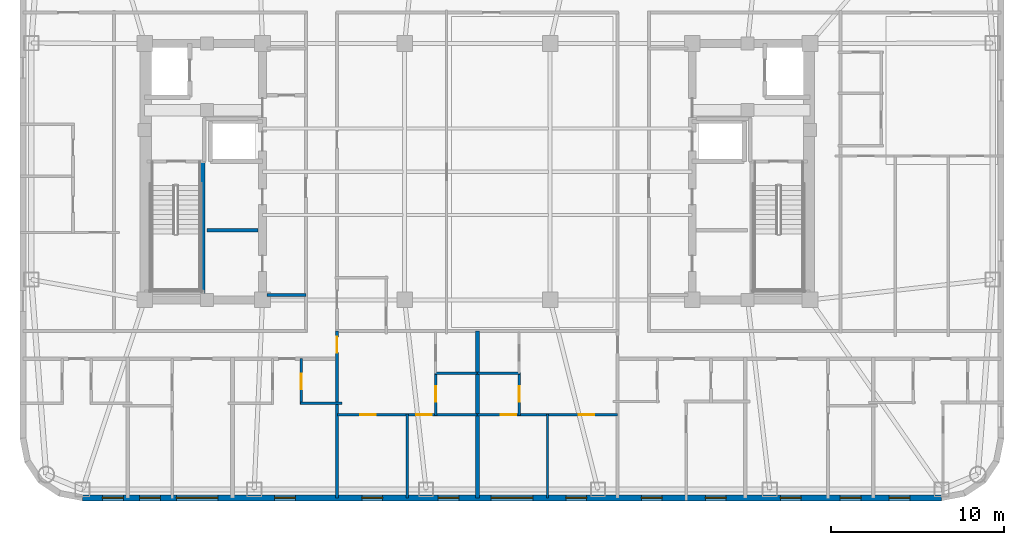
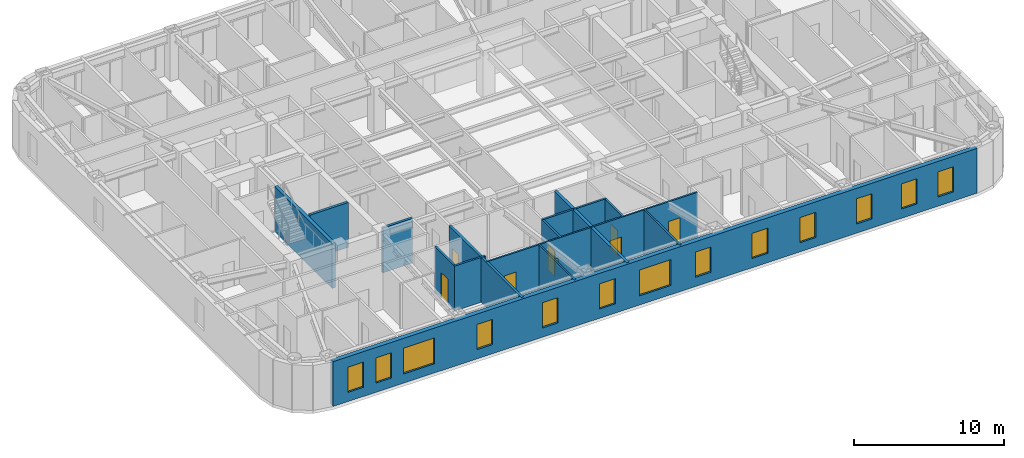
# One storey, part 3 of 11: 16 walls, 13 windows, 8 doors, 21 openings.
"""IFC4 building model written with IfcOpenShell, lengths in metres."""

from ifc_helpers import new_model, si_unit, direction, frame, frame_2d, origin, place, context, subcontext, project, spatial, rectangle, extrude, material, layer, layer_set, type_object, element, fill, save


model = new_model("IFC4")

# Units and contexts
model_context = context("Model", 3, precision=1e-05, world=origin(), true_north=direction((0.0, 1.0)))
body_context = subcontext(model_context, "Body", "Model", "MODEL_VIEW")
ifc_project = project(units=[si_unit("LENGTHUNIT", "METRE"), si_unit("AREAUNIT", "SQUARE_METRE"), si_unit("VOLUMEUNIT", "CUBIC_METRE"), si_unit("PLANEANGLEUNIT", "RADIAN"), si_unit("MASSUNIT", "GRAM", prefix="KILO")], contexts=[model_context])

# Site, building, storey
site_placement = place(None, origin())
site = spatial("IfcSite", under=ifc_project, at=site_placement, CompositionType="ELEMENT")
building_placement = place(site_placement, origin())
building = spatial("IfcBuilding", under=site, at=building_placement, Name="Voryun Gate Residences", CompositionType="ELEMENT")
storey_placement = place(building_placement, frame((0.0, 0.0, 219.699951171875)))
storey = spatial("IfcBuildingStorey", under=building, at=storey_placement, Name="L54", CompositionType="ELEMENT", Elevation=219.699951171875)

# Wall
ifc_material_1 = material(Name="Gypsum acoustic fireboard")
ifc_layer_1 = layer(ifc_material_1, 0.179931640625, Name="W_CORR_RATED_180")
ifc_layer_set_1 = layer_set([ifc_layer_1], Name="Gypsum acoustic fireboard")
wall_type_1 = type_object("IfcWallType", Name="W_CORR_RATED_180", PredefinedType="PARTITIONING", material=ifc_layer_set_1)
wall_1_placement = place(storey_placement, frame((-12.14990234375, -7.1201171875, 0.0), z_axis=(0.0, 0.0, 1.0), x_axis=(1.0, 0.0, 0.0)))
element("IfcWall", 1, at=wall_1_placement, inside=storey, type_object=wall_type_1, Name="Partition wall WP-L54-PLBS-W", PredefinedType="PARTITIONING", context=body_context, shape_type="SweptSolid", body=[
    extrude(rectangle(XDim=2.27001953125, YDim=0.179931640625, at=frame_2d((1.135009765625, 0.0))), origin(), (0.0, 0.0, 1.0), 3.650146484375),
])

# Wall, opening, door
wall_2_placement = place(storey_placement, frame((-8.10009765625, -18.830078125, 0.0), z_axis=(0.0, 0.0, 1.0), x_axis=(0.0, 1.0, 0.0)))
wall_2 = element("IfcWall", 2, at=wall_2_placement, inside=storey, type_object=wall_type_1, Name="Partition wall WP-L54-SZV-1", PredefinedType="PARTITIONING", context=body_context, shape_type="SweptSolid", body=[
    extrude(rectangle(XDim=9.64013671875, YDim=0.179931640625, at=frame_2d((4.820068359375, 0.0))), origin(), (0.0, 0.0, 1.0), 3.650146484375),
])
opening_1_placement = place(wall_2_placement, frame((8.389892578125, 0.0, 0.0)))
opening_1 = element("IfcOpeningElement", 3, at=opening_1_placement, cuts=wall_2, Name="Opening D-INT-2", PredefinedType="OPENING", context=body_context, shape_type="SweptSolid", body=[
    extrude(rectangle(XDim=0.89990234375, YDim=2.050048828125, at=frame_2d((0.449951171875, 1.02490234375))), frame((0.0, 0.099853515625, 0.0), z_axis=(0.0, -1.0, 0.0), x_axis=(1.0, 0.0, 0.0)), (0.0, 0.0, 1.0), 0.199951171875),
])
ifc_material_2 = material(Name="Architectural oak veneer")
door_type = type_object("IfcDoorType", Name="DR_INT_BATH_900", OperationType="NOTDEFINED", PredefinedType="DOOR", material=ifc_material_2)
door_1_placement = place(opening_1_placement, origin())
door_1 = element("IfcDoor", 4, at=door_1_placement, inside=storey, type_object=door_type, Name="Door DR-L54-SZENT-1", OperationType="SINGLE_SWING_LEFT", OverallHeight=2.050048828125, OverallWidth=0.89990234375, PredefinedType="DOOR", context=body_context, shape_type="SweptSolid", body=[
    extrude(rectangle(XDim=0.89990234375, YDim=2.050048828125, at=frame_2d((0.449951171875, 1.02490234375))), frame((0.0, 0.02490234375, 0.0), z_axis=(0.0, -1.0, 0.0), x_axis=(1.0, 0.0, 0.0)), (0.0, 0.0, 1.0), 0.050048828125),
])
fill(opening_1, door_1)

# Wall, openings, windows
ifc_material_3 = material(Name="Charcoal terracotta masonry", Category="masonry")
ifc_layer_2 = layer(ifc_material_3, 0.340087890625, Name="W_EXT_TERRACOTTA_340")
ifc_layer_set_2 = layer_set([ifc_layer_2], Name="Charcoal terracotta masonry")
wall_type_2 = type_object("IfcWallType", Name="W_EXT_TERRACOTTA_340", PredefinedType="ELEMENTEDWALL", material=ifc_layer_set_2)
wall_3_placement = place(storey_placement, frame((26.783203125, -18.830078125, 0.0), z_axis=(0.0, 0.0, 1.0), x_axis=(-1.0, 0.0, 0.0)))
wall_3 = element("IfcWall", 5, at=wall_3_placement, inside=storey, type_object=wall_type_2, Name="Exterior wall WEXT-L54-01", PredefinedType="ELEMENTEDWALL", context=body_context, shape_type="SweptSolid", body=[
    extrude(rectangle(XDim=49.56640625, YDim=0.340087890625, at=frame_2d((24.783203125, 0.0))), origin(), (0.0, 0.0, 1.0), 3.650146484375),
])
opening_2_placement = place(wall_3_placement, frame((23.583251953125, 0.0, 0.75)))
opening_2 = element("IfcOpeningElement", 6, at=opening_2_placement, cuts=wall_3, Name="Opening WN2", PredefinedType="OPENING", context=body_context, shape_type="SweptSolid", body=[
    extrude(rectangle(XDim=2.39990234375, YDim=2.10009765625, at=frame_2d((1.199951171875, 1.050048828125))), frame((0.0, 0.179931640625, 0.0), z_axis=(0.0, -1.0, 0.0), x_axis=(1.0, 0.0, 0.0)), (0.0, 0.0, 1.0), 0.360107421875),
])
opening_3_placement = place(wall_3_placement, frame((41.755615234375, 0.0, 0.75)))
opening_3 = element("IfcOpeningElement", 7, at=opening_3_placement, cuts=wall_3, Name="Opening WN2", PredefinedType="OPENING", context=body_context, shape_type="SweptSolid", body=[
    extrude(rectangle(XDim=2.39990234375, YDim=2.10009765625, at=frame_2d((1.199951171875, 1.050048828125))), frame((0.0, 0.179931640625, 0.0), z_axis=(0.0, -1.0, 0.0), x_axis=(1.0, 0.0, 0.0)), (0.0, 0.0, 1.0), 0.360107421875),
])
opening_4_placement = place(wall_3_placement, frame((47.222412109375, 0.0, 0.75)))
opening_4 = element("IfcOpeningElement", 8, at=opening_4_placement, cuts=wall_3, Name="Opening WN6", PredefinedType="OPENING", context=body_context, shape_type="SweptSolid", body=[
    extrude(rectangle(XDim=1.199951171875, YDim=2.050048828125, at=frame_2d((0.60009765625, 1.02490234375))), frame((0.0, 0.179931640625, 0.0), z_axis=(0.0, -1.0, 0.0), x_axis=(1.0, 0.0, 0.0)), (0.0, 0.0, 1.0), 0.360107421875),
])
opening_5_placement = place(wall_3_placement, frame((45.080322265625, 0.0, 0.75)))
opening_5 = element("IfcOpeningElement", 9, at=opening_5_placement, cuts=wall_3, Name="Opening WN6", PredefinedType="OPENING", context=body_context, shape_type="SweptSolid", body=[
    extrude(rectangle(XDim=1.199951171875, YDim=2.050048828125, at=frame_2d((0.60009765625, 1.02490234375))), frame((0.0, 0.179931640625, 0.0), z_axis=(0.0, -1.0, 0.0), x_axis=(1.0, 0.0, 0.0)), (0.0, 0.0, 1.0), 0.360107421875),
])
opening_6_placement = place(wall_3_placement, frame((37.289306640625, 0.0, 0.75)))
opening_6 = element("IfcOpeningElement", 10, at=opening_6_placement, cuts=wall_3, Name="Opening WN6", PredefinedType="OPENING", context=body_context, shape_type="SweptSolid", body=[
    extrude(rectangle(XDim=1.199951171875, YDim=2.050048828125, at=frame_2d((0.60009765625, 1.02490234375))), frame((0.0, 0.179931640625, 0.0), z_axis=(0.0, -1.0, 0.0), x_axis=(1.0, 0.0, 0.0)), (0.0, 0.0, 1.0), 0.360107421875),
])
opening_7_placement = place(wall_3_placement, frame((16.115234375, 0.0, 0.75)))
opening_7 = element("IfcOpeningElement", 11, at=opening_7_placement, cuts=wall_3, Name="Opening WN6", PredefinedType="OPENING", context=body_context, shape_type="SweptSolid", body=[
    extrude(rectangle(XDim=1.199951171875, YDim=2.050048828125, at=frame_2d((0.60009765625, 1.02490234375))), frame((0.0, 0.179931640625, 0.0), z_axis=(0.0, -1.0, 0.0), x_axis=(1.0, 0.0, 0.0)), (0.0, 0.0, 1.0), 0.360107421875),
])
opening_8_placement = place(wall_3_placement, frame((12.42236328125, 0.0, 0.75)))
opening_8 = element("IfcOpeningElement", 12, at=opening_8_placement, cuts=wall_3, Name="Opening WN6", PredefinedType="OPENING", context=body_context, shape_type="SweptSolid", body=[
    extrude(rectangle(XDim=1.199951171875, YDim=2.050048828125, at=frame_2d((0.60009765625, 1.02490234375))), frame((0.0, 0.179931640625, 0.0), z_axis=(0.0, -1.0, 0.0), x_axis=(1.0, 0.0, 0.0)), (0.0, 0.0, 1.0), 0.360107421875),
])
opening_9_placement = place(wall_3_placement, frame((8.08984375, 0.0, 0.75)))
opening_9 = element("IfcOpeningElement", 13, at=opening_9_placement, cuts=wall_3, Name="Opening WN6", PredefinedType="OPENING", context=body_context, shape_type="SweptSolid", body=[
    extrude(rectangle(XDim=1.199951171875, YDim=2.050048828125, at=frame_2d((0.60009765625, 1.02490234375))), frame((0.0, 0.179931640625, 0.0), z_axis=(0.0, -1.0, 0.0), x_axis=(1.0, 0.0, 0.0)), (0.0, 0.0, 1.0), 0.360107421875),
])
opening_10_placement = place(wall_3_placement, frame((4.63720703125, 0.0, 0.75)))
opening_10 = element("IfcOpeningElement", 14, at=opening_10_placement, cuts=wall_3, Name="Opening WN6", PredefinedType="OPENING", context=body_context, shape_type="SweptSolid", body=[
    extrude(rectangle(XDim=1.199951171875, YDim=2.050048828125, at=frame_2d((0.60009765625, 1.02490234375))), frame((0.0, 0.179931640625, 0.0), z_axis=(0.0, -1.0, 0.0), x_axis=(1.0, 0.0, 0.0)), (0.0, 0.0, 1.0), 0.360107421875),
])
opening_11_placement = place(wall_3_placement, frame((1.81103515625, 0.0, 0.75)))
opening_11 = element("IfcOpeningElement", 15, at=opening_11_placement, cuts=wall_3, Name="Opening WN6", PredefinedType="OPENING", context=body_context, shape_type="SweptSolid", body=[
    extrude(rectangle(XDim=1.199951171875, YDim=2.050048828125, at=frame_2d((0.60009765625, 1.02490234375))), frame((0.0, 0.179931640625, 0.0), z_axis=(0.0, -1.0, 0.0), x_axis=(1.0, 0.0, 0.0)), (0.0, 0.0, 1.0), 0.360107421875),
])
opening_12_placement = place(wall_3_placement, frame((32.25341796875, 0.0, 0.75)))
opening_12 = element("IfcOpeningElement", 16, at=opening_12_placement, cuts=wall_3, Name="Opening WN6", PredefinedType="OPENING", context=body_context, shape_type="SweptSolid", body=[
    extrude(rectangle(XDim=1.199951171875, YDim=2.050048828125, at=frame_2d((0.60009765625, 1.02490234375))), frame((0.0, 0.179931640625, 0.0), z_axis=(0.0, -1.0, 0.0), x_axis=(1.0, 0.0, 0.0)), (0.0, 0.0, 1.0), 0.360107421875),
])
opening_13_placement = place(wall_3_placement, frame((27.853271484375, 0.0, 0.75)))
opening_13 = element("IfcOpeningElement", 17, at=opening_13_placement, cuts=wall_3, Name="Opening WN6", PredefinedType="OPENING", context=body_context, shape_type="SweptSolid", body=[
    extrude(rectangle(XDim=1.199951171875, YDim=2.050048828125, at=frame_2d((0.60009765625, 1.02490234375))), frame((0.0, 0.179931640625, 0.0), z_axis=(0.0, -1.0, 0.0), x_axis=(1.0, 0.0, 0.0)), (0.0, 0.0, 1.0), 0.360107421875),
])
opening_14_placement = place(wall_3_placement, frame((20.473388671875, 0.0, 0.75)))
opening_14 = element("IfcOpeningElement", 18, at=opening_14_placement, cuts=wall_3, Name="Opening WN6", PredefinedType="OPENING", context=body_context, shape_type="SweptSolid", body=[
    extrude(rectangle(XDim=1.199951171875, YDim=2.050048828125, at=frame_2d((0.60009765625, 1.02490234375))), frame((0.0, 0.179931640625, 0.0), z_axis=(0.0, -1.0, 0.0), x_axis=(1.0, 0.0, 0.0)), (0.0, 0.0, 1.0), 0.360107421875),
])
ifc_material_4 = material(Name="Laminated low-E glass", Category="glass")
window_type_1 = type_object("IfcWindowType", Name="WN_POD_SLOT_1200", PartitioningType="SINGLE_PANEL", PredefinedType="WINDOW", material=ifc_material_4)
window_1_placement = place(opening_4_placement, origin())
window_1 = element("IfcWindow", 19, at=window_1_placement, inside=storey, type_object=window_type_1, Name="Window WN-L54-DWFIX-15", OverallHeight=2.050048828125, OverallWidth=1.199951171875, PartitioningType="SINGLE_PANEL", PredefinedType="WINDOW", context=body_context, shape_type="SweptSolid", body=[
    extrude(rectangle(XDim=1.199951171875, YDim=2.050048828125, at=frame_2d((0.60009765625, 1.02490234375))), frame((0.0, 0.030029296875, 0.0), z_axis=(0.0, -1.0, 0.0), x_axis=(1.0, 0.0, 0.0)), (0.0, 0.0, 1.0), 0.06005859375),
])
fill(opening_4, window_1)
window_2_placement = place(opening_5_placement, origin())
window_2 = element("IfcWindow", 20, at=window_2_placement, inside=storey, type_object=window_type_1, Name="Window WN-L54-DWFIX-16", OverallHeight=2.050048828125, OverallWidth=1.199951171875, PartitioningType="SINGLE_PANEL", PredefinedType="WINDOW", context=body_context, shape_type="SweptSolid", body=[
    extrude(rectangle(XDim=1.199951171875, YDim=2.050048828125, at=frame_2d((0.60009765625, 1.02490234375))), frame((0.0, 0.030029296875, 0.0), z_axis=(0.0, -1.0, 0.0), x_axis=(1.0, 0.0, 0.0)), (0.0, 0.0, 1.0), 0.06005859375),
])
fill(opening_5, window_2)
window_3_placement = place(opening_6_placement, origin())
window_3 = element("IfcWindow", 21, at=window_3_placement, inside=storey, type_object=window_type_1, Name="Window WN-L54-DWFIX-17", OverallHeight=2.050048828125, OverallWidth=1.199951171875, PartitioningType="SINGLE_PANEL", PredefinedType="WINDOW", context=body_context, shape_type="SweptSolid", body=[
    extrude(rectangle(XDim=1.199951171875, YDim=2.050048828125, at=frame_2d((0.60009765625, 1.02490234375))), frame((0.0, 0.030029296875, 0.0), z_axis=(0.0, -1.0, 0.0), x_axis=(1.0, 0.0, 0.0)), (0.0, 0.0, 1.0), 0.06005859375),
])
fill(opening_6, window_3)
window_4_placement = place(opening_7_placement, origin())
window_4 = element("IfcWindow", 22, at=window_4_placement, inside=storey, type_object=window_type_1, Name="Window WN-L54-DWFIX-18", OverallHeight=2.050048828125, OverallWidth=1.199951171875, PartitioningType="SINGLE_PANEL", PredefinedType="WINDOW", context=body_context, shape_type="SweptSolid", body=[
    extrude(rectangle(XDim=1.199951171875, YDim=2.050048828125, at=frame_2d((0.60009765625, 1.02490234375))), frame((0.0, 0.030029296875, 0.0), z_axis=(0.0, -1.0, 0.0), x_axis=(1.0, 0.0, 0.0)), (0.0, 0.0, 1.0), 0.06005859375),
])
fill(opening_7, window_4)
window_5_placement = place(opening_8_placement, origin())
window_5 = element("IfcWindow", 23, at=window_5_placement, inside=storey, type_object=window_type_1, Name="Window WN-L54-DWFIX-19", OverallHeight=2.050048828125, OverallWidth=1.199951171875, PartitioningType="SINGLE_PANEL", PredefinedType="WINDOW", context=body_context, shape_type="SweptSolid", body=[
    extrude(rectangle(XDim=1.199951171875, YDim=2.050048828125, at=frame_2d((0.60009765625, 1.02490234375))), frame((0.0, 0.030029296875, 0.0), z_axis=(0.0, -1.0, 0.0), x_axis=(1.0, 0.0, 0.0)), (0.0, 0.0, 1.0), 0.06005859375),
])
fill(opening_8, window_5)
window_6_placement = place(opening_9_placement, origin())
window_6 = element("IfcWindow", 24, at=window_6_placement, inside=storey, type_object=window_type_1, Name="Window WN-L54-DWFIX-20", OverallHeight=2.050048828125, OverallWidth=1.199951171875, PartitioningType="SINGLE_PANEL", PredefinedType="WINDOW", context=body_context, shape_type="SweptSolid", body=[
    extrude(rectangle(XDim=1.199951171875, YDim=2.050048828125, at=frame_2d((0.60009765625, 1.02490234375))), frame((0.0, 0.030029296875, 0.0), z_axis=(0.0, -1.0, 0.0), x_axis=(1.0, 0.0, 0.0)), (0.0, 0.0, 1.0), 0.06005859375),
])
fill(opening_9, window_6)
window_7_placement = place(opening_10_placement, origin())
window_7 = element("IfcWindow", 25, at=window_7_placement, inside=storey, type_object=window_type_1, Name="Window WN-L54-DWFIX-21", OverallHeight=2.050048828125, OverallWidth=1.199951171875, PartitioningType="SINGLE_PANEL", PredefinedType="WINDOW", context=body_context, shape_type="SweptSolid", body=[
    extrude(rectangle(XDim=1.199951171875, YDim=2.050048828125, at=frame_2d((0.60009765625, 1.02490234375))), frame((0.0, 0.030029296875, 0.0), z_axis=(0.0, -1.0, 0.0), x_axis=(1.0, 0.0, 0.0)), (0.0, 0.0, 1.0), 0.06005859375),
])
fill(opening_10, window_7)
window_8_placement = place(opening_11_placement, origin())
window_8 = element("IfcWindow", 26, at=window_8_placement, inside=storey, type_object=window_type_1, Name="Window WN-L54-DWFIX-22", OverallHeight=2.050048828125, OverallWidth=1.199951171875, PartitioningType="SINGLE_PANEL", PredefinedType="WINDOW", context=body_context, shape_type="SweptSolid", body=[
    extrude(rectangle(XDim=1.199951171875, YDim=2.050048828125, at=frame_2d((0.60009765625, 1.02490234375))), frame((0.0, 0.030029296875, 0.0), z_axis=(0.0, -1.0, 0.0), x_axis=(1.0, 0.0, 0.0)), (0.0, 0.0, 1.0), 0.06005859375),
])
fill(opening_11, window_8)
window_9_placement = place(opening_12_placement, origin())
window_9 = element("IfcWindow", 27, at=window_9_placement, inside=storey, type_object=window_type_1, Name="Window WN-L54-DWFIX-24", OverallHeight=2.050048828125, OverallWidth=1.199951171875, PartitioningType="SINGLE_PANEL", PredefinedType="WINDOW", context=body_context, shape_type="SweptSolid", body=[
    extrude(rectangle(XDim=1.199951171875, YDim=2.050048828125, at=frame_2d((0.60009765625, 1.02490234375))), frame((0.0, 0.030029296875, 0.0), z_axis=(0.0, -1.0, 0.0), x_axis=(1.0, 0.0, 0.0)), (0.0, 0.0, 1.0), 0.06005859375),
])
fill(opening_12, window_9)
window_10_placement = place(opening_13_placement, origin())
window_10 = element("IfcWindow", 28, at=window_10_placement, inside=storey, type_object=window_type_1, Name="Window WN-L54-DWFIX-25", OverallHeight=2.050048828125, OverallWidth=1.199951171875, PartitioningType="SINGLE_PANEL", PredefinedType="WINDOW", context=body_context, shape_type="SweptSolid", body=[
    extrude(rectangle(XDim=1.199951171875, YDim=2.050048828125, at=frame_2d((0.60009765625, 1.02490234375))), frame((0.0, 0.030029296875, 0.0), z_axis=(0.0, -1.0, 0.0), x_axis=(1.0, 0.0, 0.0)), (0.0, 0.0, 1.0), 0.06005859375),
])
fill(opening_13, window_10)
window_11_placement = place(opening_14_placement, origin())
window_11 = element("IfcWindow", 29, at=window_11_placement, inside=storey, type_object=window_type_1, Name="Window WN-L54-DWFIX-26", OverallHeight=2.050048828125, OverallWidth=1.199951171875, PartitioningType="SINGLE_PANEL", PredefinedType="WINDOW", context=body_context, shape_type="SweptSolid", body=[
    extrude(rectangle(XDim=1.199951171875, YDim=2.050048828125, at=frame_2d((0.60009765625, 1.02490234375))), frame((0.0, 0.030029296875, 0.0), z_axis=(0.0, -1.0, 0.0), x_axis=(1.0, 0.0, 0.0)), (0.0, 0.0, 1.0), 0.06005859375),
])
fill(opening_14, window_11)
ifc_material_5 = material(Name="Laminated low-E glass", Category="glass")
window_type_2 = type_object("IfcWindowType", Name="WN_RES_WIDE_2400", PartitioningType="SINGLE_PANEL", PredefinedType="WINDOW", material=ifc_material_5)
window_12_placement = place(opening_2_placement, origin())
window_12 = element("IfcWindow", 30, at=window_12_placement, inside=storey, type_object=window_type_2, Name="Window WN-WEXT-L54-01-02", OverallHeight=2.10009765625, OverallWidth=2.39990234375, PartitioningType="SINGLE_PANEL", PredefinedType="WINDOW", context=body_context, shape_type="SweptSolid", body=[
    extrude(rectangle(XDim=2.39990234375, YDim=2.10009765625, at=frame_2d((1.199951171875, 1.050048828125))), frame((0.0, 0.030029296875, 0.0), z_axis=(0.0, -1.0, 0.0), x_axis=(1.0, 0.0, 0.0)), (0.0, 0.0, 1.0), 0.06005859375),
])
fill(opening_2, window_12)
window_13_placement = place(opening_3_placement, origin())
window_13 = element("IfcWindow", 31, at=window_13_placement, inside=storey, type_object=window_type_2, Name="Window WN-WEXT-L54-01-03", OverallHeight=2.10009765625, OverallWidth=2.39990234375, PartitioningType="SINGLE_PANEL", PredefinedType="WINDOW", context=body_context, shape_type="SweptSolid", body=[
    extrude(rectangle(XDim=2.39990234375, YDim=2.10009765625, at=frame_2d((1.199951171875, 1.050048828125))), frame((0.0, 0.030029296875, 0.0), z_axis=(0.0, -1.0, 0.0), x_axis=(1.0, 0.0, 0.0)), (0.0, 0.0, 1.0), 0.06005859375),
])
fill(opening_3, window_13)

# Walls
ifc_material_6 = material(Name="Concrete C40/50", Category="concrete")
ifc_layer_3 = layer(ifc_material_6, 0.199951171875, Name="W_FF_LOBBY_200")
ifc_layer_set_3 = layer_set([ifc_layer_3], Name="Concrete C40/50")
wall_type_3 = type_object("IfcWallType", Name="W_FF_LOBBY_200", PredefinedType="PARTITIONING", material=ifc_layer_set_3)
wall_4_placement = place(storey_placement, frame((-15.60009765625, -3.389892578125, 0.0), z_axis=(0.0, 0.0, 1.0), x_axis=(1.0, 0.0, 0.0)))
element("IfcWall", 32, at=wall_4_placement, inside=storey, type_object=wall_type_3, Name="Partition wall WP-L54-RECEY-W", PredefinedType="PARTITIONING", context=body_context, shape_type="SweptSolid", body=[
    extrude(rectangle(XDim=2.940185546875, YDim=0.199951171875, at=frame_2d((1.47021484375, 0.0))), origin(), (0.0, 0.0, 1.0), 3.650146484375),
])
ifc_material_7 = material(Name="Concrete C40/50", Category="concrete")
ifc_layer_4 = layer(ifc_material_7, 0.219970703125, Name="W_PARTY_ACOUSTIC_220")
ifc_layer_set_4 = layer_set([ifc_layer_4], Name="Concrete C40/50")
wall_type_4 = type_object("IfcWallType", Name="W_PARTY_ACOUSTIC_220", PredefinedType="PARTITIONING", material=ifc_layer_set_4)
wall_5_placement = place(storey_placement, frame((0.0, -18.830078125, 0.0), z_axis=(0.0, 0.0, 1.0), x_axis=(0.0, 1.0, 0.0)))
element("IfcWall", 33, at=wall_5_placement, inside=storey, type_object=wall_type_4, Name="Partition wall WP-L54-SZMID", PredefinedType="PARTITIONING", context=body_context, shape_type="SweptSolid", body=[
    extrude(rectangle(XDim=9.64013671875, YDim=0.219970703125, at=frame_2d((4.820068359375, 0.0))), origin(), (0.0, 0.0, 1.0), 3.650146484375),
])
ifc_material_8 = material(Name="Concrete C50/60", Category="concrete")
ifc_layer_5 = layer(ifc_material_8, 0.25, Name="W_SHAFT_RC250")
ifc_layer_set_5 = layer_set([ifc_layer_5], Name="Concrete C50/60")
wall_type_5 = type_object("IfcWallType", Name="W_SHAFT_RC250", PredefinedType="SOLIDWALL", material=ifc_layer_set_5)
wall_6_placement = place(storey_placement, frame((-15.860107421875, -7.0849609375, 0.0), z_axis=(0.0, 0.0, 1.0), x_axis=(0.0, 1.0, 0.0)))
element("IfcWall", 34, at=wall_6_placement, inside=storey, type_object=wall_type_5, Name="L54 Stair shaft structural wall W-STR", PredefinedType="SOLIDWALL", context=body_context, shape_type="SweptSolid", body=[
    extrude(rectangle(XDim=7.68505859375, YDim=0.25, at=frame_2d((3.842529296875, 0.0))), origin(), (0.0, 0.0, 1.0), 3.650146484375),
])

# Wall, openings, doors
ifc_material_9 = material(Name="Gypsum acoustic partition")
ifc_layer_6 = layer(ifc_material_9, 0.125, Name="W_UNIT_PART_125")
ifc_layer_set_6 = layer_set([ifc_layer_6], Name="Gypsum acoustic partition")
wall_type_6 = type_object("IfcWallType", Name="W_UNIT_PART_125", PredefinedType="PARTITIONING", material=ifc_layer_set_6)
wall_7_placement = place(storey_placement, frame((-8.080078125, -14.030029296875, 0.0), z_axis=(0.0, 0.0, 1.0), x_axis=(1.0, 0.0, 0.0)))
wall_7 = element("IfcWall", 35, at=wall_7_placement, inside=storey, type_object=wall_type_6, Name="Partition wall WP-L54-SC1-HZ", PredefinedType="PARTITIONING", context=body_context, shape_type="SweptSolid", body=[
    extrude(rectangle(XDim=8.06005859375, YDim=0.125, at=frame_2d((4.030029296875, 0.0))), origin(), (0.0, 0.0, 1.0), 3.650146484375),
])
opening_15_placement = place(wall_7_placement, frame((1.3232421875, 0.0, 0.0)))
opening_15 = element("IfcOpeningElement", 36, at=opening_15_placement, cuts=wall_7, Name="Opening D-INT-2", PredefinedType="OPENING", context=body_context, shape_type="SweptSolid", body=[
    extrude(rectangle(XDim=0.89990234375, YDim=2.050048828125, at=frame_2d((0.449951171875, 1.02490234375))), frame((0.0, 0.072509765625, 0.0), z_axis=(0.0, -1.0, 0.0), x_axis=(1.0, 0.0, 0.0)), (0.0, 0.0, 1.0), 0.14501953125),
])
opening_16_placement = place(wall_7_placement, frame((4.547119140625, 0.0, 0.0)))
opening_16 = element("IfcOpeningElement", 37, at=opening_16_placement, cuts=wall_7, Name="Opening D-INT-2", PredefinedType="OPENING", context=body_context, shape_type="SweptSolid", body=[
    extrude(rectangle(XDim=0.89990234375, YDim=2.050048828125, at=frame_2d((0.449951171875, 1.02490234375))), frame((0.0, 0.072509765625, 0.0), z_axis=(0.0, -1.0, 0.0), x_axis=(1.0, 0.0, 0.0)), (0.0, 0.0, 1.0), 0.14501953125),
])
door_2_placement = place(opening_15_placement, origin())
door_2 = element("IfcDoor", 38, at=door_2_placement, inside=storey, type_object=door_type, Name="Door DR-L54-SC1-DMB", OperationType="SINGLE_SWING_LEFT", OverallHeight=2.050048828125, OverallWidth=0.89990234375, PredefinedType="DOOR", context=body_context, shape_type="SweptSolid", body=[
    extrude(rectangle(XDim=0.89990234375, YDim=2.050048828125, at=frame_2d((0.449951171875, 1.02490234375))), frame((0.0, 0.02490234375, 0.0), z_axis=(0.0, -1.0, 0.0), x_axis=(1.0, 0.0, 0.0)), (0.0, 0.0, 1.0), 0.050048828125),
])
fill(opening_15, door_2)
door_3_placement = place(opening_16_placement, origin())
door_3 = element("IfcDoor", 39, at=door_3_placement, inside=storey, type_object=door_type, Name="Door DR-L54-SC1-DBD2", OperationType="SINGLE_SWING_RIGHT", OverallHeight=2.050048828125, OverallWidth=0.89990234375, PredefinedType="DOOR", context=body_context, shape_type="SweptSolid", body=[
    extrude(rectangle(XDim=0.89990234375, YDim=2.050048828125, at=frame_2d((0.449951171875, 1.02490234375))), frame((0.0, 0.02490234375, 0.0), z_axis=(0.0, -1.0, 0.0), x_axis=(1.0, 0.0, 0.0)), (0.0, 0.0, 1.0), 0.050048828125),
])
fill(opening_16, door_3)

# Wall
wall_8_placement = place(storey_placement, frame((-4.050048828125, -18.830078125, 0.0), z_axis=(0.0, 0.0, 1.0), x_axis=(0.0, 1.0, 0.0)))
element("IfcWall", 40, at=wall_8_placement, inside=storey, type_object=wall_type_6, Name="Partition wall WP-L54-SC1-VBD", PredefinedType="PARTITIONING", context=body_context, shape_type="SweptSolid", body=[
    extrude(rectangle(XDim=4.840087890625, YDim=0.125, at=frame_2d((2.419921875, 0.0))), origin(), (0.0, 0.0, 1.0), 3.650146484375),
])

# Wall, openings, doors
wall_9_placement = place(storey_placement, frame((0.02001953125, -14.030029296875, 0.0), z_axis=(0.0, 0.0, 1.0), x_axis=(1.0, 0.0, 0.0)))
wall_9 = element("IfcWall", 41, at=wall_9_placement, inside=storey, type_object=wall_type_6, Name="Partition wall WP-L54-SC2-HZ", PredefinedType="PARTITIONING", context=body_context, shape_type="SweptSolid", body=[
    extrude(rectangle(XDim=8.06005859375, YDim=0.125, at=frame_2d((4.030029296875, 0.0))), origin(), (0.0, 0.0, 1.0), 3.650146484375),
])
opening_17_placement = place(wall_9_placement, frame((1.3232421875, 0.0, 0.0)))
opening_17 = element("IfcOpeningElement", 42, at=opening_17_placement, cuts=wall_9, Name="Opening D-INT-2", PredefinedType="OPENING", context=body_context, shape_type="SweptSolid", body=[
    extrude(rectangle(XDim=0.89990234375, YDim=2.050048828125, at=frame_2d((0.449951171875, 1.02490234375))), frame((0.0, 0.072509765625, 0.0), z_axis=(0.0, -1.0, 0.0), x_axis=(1.0, 0.0, 0.0)), (0.0, 0.0, 1.0), 0.14501953125),
])
opening_18_placement = place(wall_9_placement, frame((5.8369140625, 0.0, 0.0)))
opening_18 = element("IfcOpeningElement", 43, at=opening_18_placement, cuts=wall_9, Name="Opening D-INT-2", PredefinedType="OPENING", context=body_context, shape_type="SweptSolid", body=[
    extrude(rectangle(XDim=0.89990234375, YDim=2.050048828125, at=frame_2d((0.449951171875, 1.02490234375))), frame((0.0, 0.072509765625, 0.0), z_axis=(0.0, -1.0, 0.0), x_axis=(1.0, 0.0, 0.0)), (0.0, 0.0, 1.0), 0.14501953125),
])
door_4_placement = place(opening_17_placement, origin())
door_4 = element("IfcDoor", 44, at=door_4_placement, inside=storey, type_object=door_type, Name="Door DR-L54-SC2-DMB", OperationType="SINGLE_SWING_LEFT", OverallHeight=2.050048828125, OverallWidth=0.89990234375, PredefinedType="DOOR", context=body_context, shape_type="SweptSolid", body=[
    extrude(rectangle(XDim=0.89990234375, YDim=2.050048828125, at=frame_2d((0.449951171875, 1.02490234375))), frame((0.0, 0.02490234375, 0.0), z_axis=(0.0, -1.0, 0.0), x_axis=(1.0, 0.0, 0.0)), (0.0, 0.0, 1.0), 0.050048828125),
])
fill(opening_17, door_4)
door_5_placement = place(opening_18_placement, origin())
door_5 = element("IfcDoor", 45, at=door_5_placement, inside=storey, type_object=door_type, Name="Door DR-L54-SC2-DBD2", OperationType="SINGLE_SWING_RIGHT", OverallHeight=2.050048828125, OverallWidth=0.89990234375, PredefinedType="DOOR", context=body_context, shape_type="SweptSolid", body=[
    extrude(rectangle(XDim=0.89990234375, YDim=2.050048828125, at=frame_2d((0.449951171875, 1.02490234375))), frame((0.0, 0.02490234375, 0.0), z_axis=(0.0, -1.0, 0.0), x_axis=(1.0, 0.0, 0.0)), (0.0, 0.0, 1.0), 0.050048828125),
])
fill(opening_18, door_5)

# Wall
wall_10_placement = place(storey_placement, frame((4.050048828125, -18.830078125, 0.0), z_axis=(0.0, 0.0, 1.0), x_axis=(0.0, 1.0, 0.0)))
element("IfcWall", 46, at=wall_10_placement, inside=storey, type_object=wall_type_6, Name="Partition wall WP-L54-SC2-VBD", PredefinedType="PARTITIONING", context=body_context, shape_type="SweptSolid", body=[
    extrude(rectangle(XDim=4.840087890625, YDim=0.125, at=frame_2d((2.419921875, 0.0))), origin(), (0.0, 0.0, 1.0), 3.650146484375),
])

# Wall, opening, door
ifc_material_10 = material(Name="Gypsum moisture-resistant partition")
ifc_layer_7 = layer(ifc_material_10, 0.14990234375, Name="W_WET_PLUMB_150")
ifc_layer_set_7 = layer_set([ifc_layer_7], Name="Gypsum moisture-resistant partition")
wall_type_7 = type_object("IfcWallType", Name="W_WET_PLUMB_150", PredefinedType="PLUMBINGWALL", material=ifc_layer_set_7)
wall_11_placement = place(storey_placement, frame((-10.156982421875, -13.429931640625, 0.0), z_axis=(0.0, 0.0, 1.0), x_axis=(0.0, 1.0, 0.0)))
wall_11 = element("IfcWall", 47, at=wall_11_placement, inside=storey, type_object=wall_type_7, Name="Partition wall WP-L54-S3-CVB", PredefinedType="PLUMBINGWALL", context=body_context, shape_type="SweptSolid", body=[
    extrude(rectangle(XDim=2.64990234375, YDim=0.14990234375, at=frame_2d((1.324951171875, 0.0))), origin(), (0.0, 0.0, 1.0), 3.650146484375),
])
opening_19_placement = place(wall_11_placement, frame((0.875, 0.0, 0.0)))
opening_19 = element("IfcOpeningElement", 48, at=opening_19_placement, cuts=wall_11, Name="Opening D-INT-2", PredefinedType="OPENING", context=body_context, shape_type="SweptSolid", body=[
    extrude(rectangle(XDim=0.89990234375, YDim=2.050048828125, at=frame_2d((0.449951171875, 1.02490234375))), frame((0.0, 0.0849609375, 0.0), z_axis=(0.0, -1.0, 0.0), x_axis=(1.0, 0.0, 0.0)), (0.0, 0.0, 1.0), 0.169921875),
])
door_6_placement = place(opening_19_placement, origin())
door_6 = element("IfcDoor", 49, at=door_6_placement, inside=storey, type_object=door_type, Name="Door DR-L54-S3-DB", OperationType="SINGLE_SWING_RIGHT", OverallHeight=2.050048828125, OverallWidth=0.89990234375, PredefinedType="DOOR", context=body_context, shape_type="SweptSolid", body=[
    extrude(rectangle(XDim=0.89990234375, YDim=2.050048828125, at=frame_2d((0.449951171875, 1.02490234375))), frame((0.0, 0.02490234375, 0.0), z_axis=(0.0, -1.0, 0.0), x_axis=(1.0, 0.0, 0.0)), (0.0, 0.0, 1.0), 0.050048828125),
])
fill(opening_19, door_6)

# Wall
wall_12_placement = place(storey_placement, frame((-10.217041015625, -13.3701171875, 0.0), z_axis=(0.0, 0.0, 1.0), x_axis=(1.0, 0.0, 0.0)))
element("IfcWall", 50, at=wall_12_placement, inside=storey, type_object=wall_type_7, Name="Partition wall WP-L54-S3-CHB", PredefinedType="PLUMBINGWALL", context=body_context, shape_type="SweptSolid", body=[
    extrude(rectangle(XDim=2.39697265625, YDim=0.14990234375, at=frame_2d((1.198486328125, 0.0))), origin(), (0.0, 0.0, 1.0), 3.650146484375),
])

# Wall, opening, door
wall_13_placement = place(storey_placement, frame((-2.409912109375, -14.070068359375, 0.0), z_axis=(0.0, 0.0, 1.0), x_axis=(0.0, 1.0, 0.0)))
wall_13 = element("IfcWall", 51, at=wall_13_placement, inside=storey, type_object=wall_type_7, Name="Partition wall WP-L54-SC1-VK2", PredefinedType="PLUMBINGWALL", context=body_context, shape_type="SweptSolid", body=[
    extrude(rectangle(XDim=2.469970703125, YDim=0.14990234375, at=frame_2d((1.23486328125, 0.0))), origin(), (0.0, 0.0, 1.0), 3.650146484375),
])
opening_20_placement = place(wall_13_placement, frame((0.784912109375, 0.0, 0.0)))
opening_20 = element("IfcOpeningElement", 52, at=opening_20_placement, cuts=wall_13, Name="Opening D-INT-2", PredefinedType="OPENING", context=body_context, shape_type="SweptSolid", body=[
    extrude(rectangle(XDim=0.89990234375, YDim=2.050048828125, at=frame_2d((0.449951171875, 1.02490234375))), frame((0.0, 0.0849609375, 0.0), z_axis=(0.0, -1.0, 0.0), x_axis=(1.0, 0.0, 0.0)), (0.0, 0.0, 1.0), 0.169921875),
])
door_7_placement = place(opening_20_placement, origin())
door_7 = element("IfcDoor", 53, at=door_7_placement, inside=storey, type_object=door_type, Name="Door DR-L54-SC1-DB", OperationType="SINGLE_SWING_RIGHT", OverallHeight=2.050048828125, OverallWidth=0.89990234375, PredefinedType="DOOR", context=body_context, shape_type="SweptSolid", body=[
    extrude(rectangle(XDim=0.89990234375, YDim=2.050048828125, at=frame_2d((0.449951171875, 1.02490234375))), frame((0.0, 0.02490234375, 0.0), z_axis=(0.0, -1.0, 0.0), x_axis=(1.0, 0.0, 0.0)), (0.0, 0.0, 1.0), 0.050048828125),
])
fill(opening_20, door_7)

# Wall
wall_14_placement = place(storey_placement, frame((-2.449951171875, -11.6298828125, 0.0), z_axis=(0.0, 0.0, 1.0), x_axis=(1.0, 0.0, 0.0)))
element("IfcWall", 54, at=wall_14_placement, inside=storey, type_object=wall_type_7, Name="Partition wall WP-L54-SC1-HKB", PredefinedType="PLUMBINGWALL", context=body_context, shape_type="SweptSolid", body=[
    extrude(rectangle(XDim=2.429931640625, YDim=0.14990234375, at=frame_2d((1.21484375, 0.0))), origin(), (0.0, 0.0, 1.0), 3.650146484375),
])

# Wall, opening, door
wall_15_placement = place(storey_placement, frame((2.409912109375, -14.070068359375, 0.0), z_axis=(0.0, 0.0, 1.0), x_axis=(0.0, 1.0, 0.0)))
wall_15 = element("IfcWall", 55, at=wall_15_placement, inside=storey, type_object=wall_type_7, Name="Partition wall WP-L54-SC2-VK2", PredefinedType="PLUMBINGWALL", context=body_context, shape_type="SweptSolid", body=[
    extrude(rectangle(XDim=2.469970703125, YDim=0.14990234375, at=frame_2d((1.23486328125, 0.0))), origin(), (0.0, 0.0, 1.0), 3.650146484375),
])
opening_21_placement = place(wall_15_placement, frame((0.784912109375, 0.0, 0.0)))
opening_21 = element("IfcOpeningElement", 56, at=opening_21_placement, cuts=wall_15, Name="Opening D-INT-2", PredefinedType="OPENING", context=body_context, shape_type="SweptSolid", body=[
    extrude(rectangle(XDim=0.89990234375, YDim=2.050048828125, at=frame_2d((0.449951171875, 1.02490234375))), frame((0.0, 0.0849609375, 0.0), z_axis=(0.0, -1.0, 0.0), x_axis=(1.0, 0.0, 0.0)), (0.0, 0.0, 1.0), 0.169921875),
])
door_8_placement = place(opening_21_placement, origin())
door_8 = element("IfcDoor", 57, at=door_8_placement, inside=storey, type_object=door_type, Name="Door DR-L54-SC2-DB", OperationType="SINGLE_SWING_RIGHT", OverallHeight=2.050048828125, OverallWidth=0.89990234375, PredefinedType="DOOR", context=body_context, shape_type="SweptSolid", body=[
    extrude(rectangle(XDim=0.89990234375, YDim=2.050048828125, at=frame_2d((0.449951171875, 1.02490234375))), frame((0.0, 0.02490234375, 0.0), z_axis=(0.0, -1.0, 0.0), x_axis=(1.0, 0.0, 0.0)), (0.0, 0.0, 1.0), 0.050048828125),
])
fill(opening_21, door_8)

# Wall
wall_16_placement = place(storey_placement, frame((0.02001953125, -11.6298828125, 0.0), z_axis=(0.0, 0.0, 1.0), x_axis=(1.0, 0.0, 0.0)))
element("IfcWall", 58, at=wall_16_placement, inside=storey, type_object=wall_type_7, Name="Partition wall WP-L54-SC2-HKB", PredefinedType="PLUMBINGWALL", context=body_context, shape_type="SweptSolid", body=[
    extrude(rectangle(XDim=2.429931640625, YDim=0.14990234375, at=frame_2d((1.21484375, 0.0))), origin(), (0.0, 0.0, 1.0), 3.650146484375),
])

save(model, "model.ifc")
